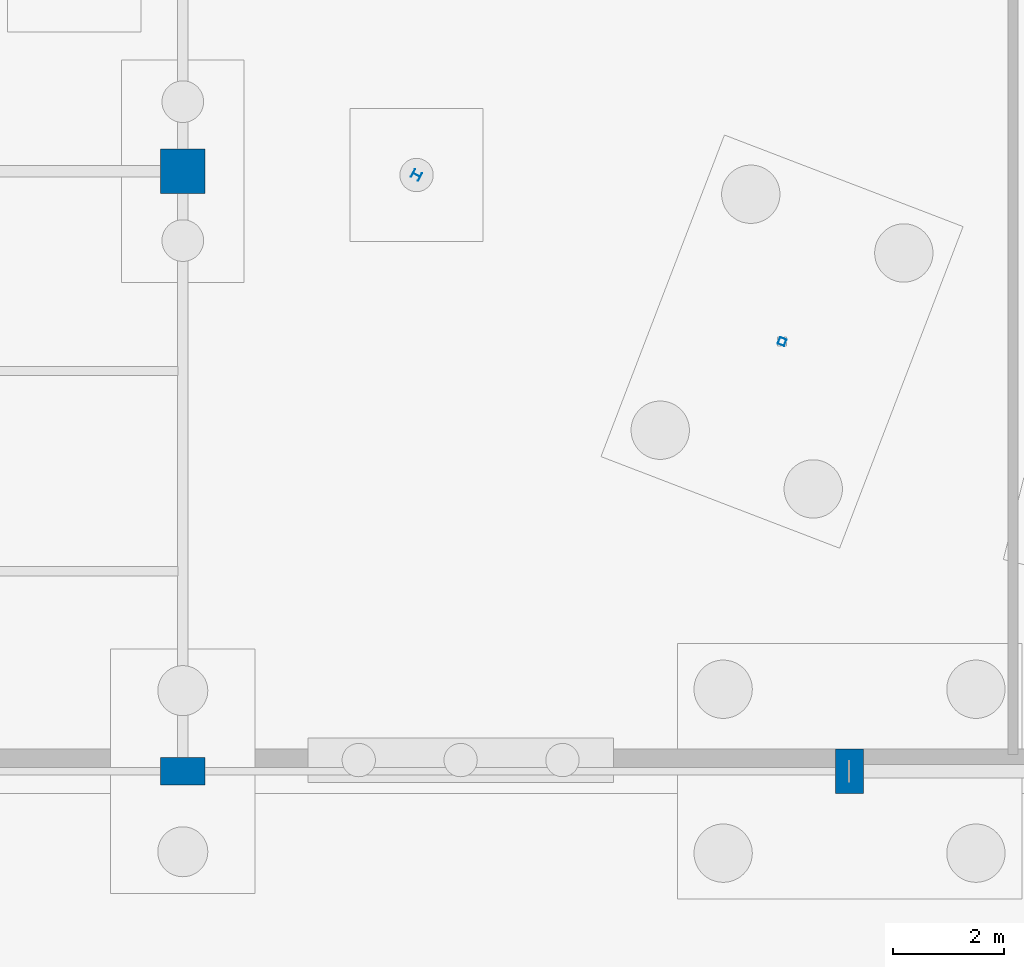
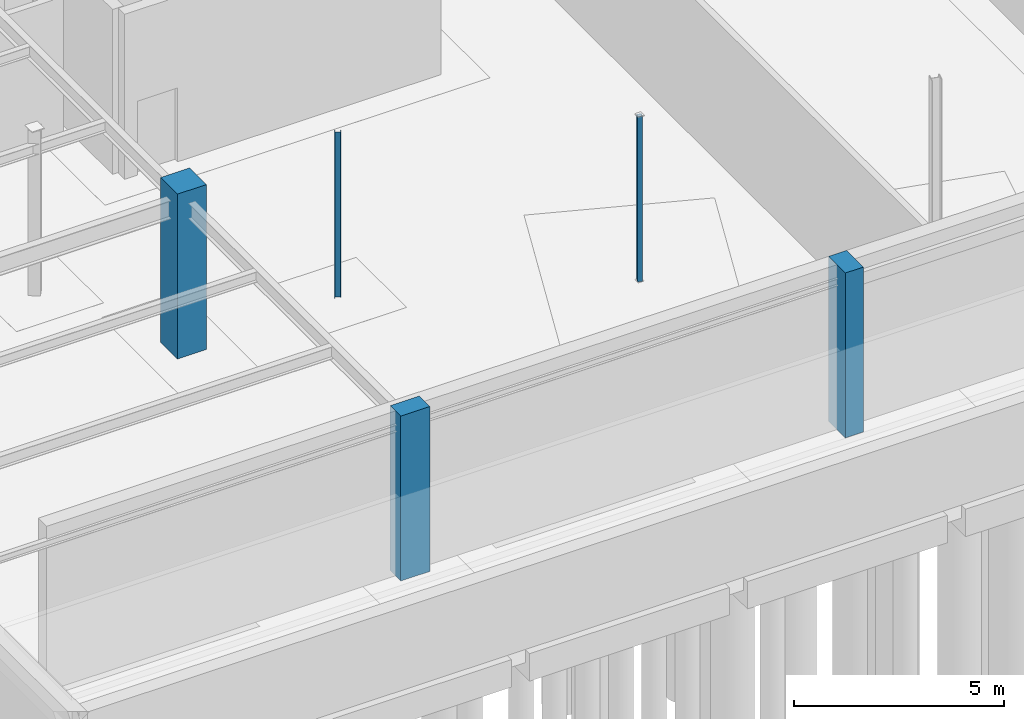
# One storey, part 18 of 136: 5 columns.
"""IFC4 building model written with IfcOpenShell, lengths in metres."""

from ifc_helpers import new_model, si_unit, direction, frame, origin, origin_2d, place, context, subcontext, project, spatial, rectangle, hollow_rectangle, i_section, extrude, material, material_profile, profile_set, type_object, element, save


model = new_model("IFC4")

# Units and contexts
model_context = context("Model", 3, precision=1e-05, world=origin(), true_north=direction((0.0, 1.0)))
body_context = subcontext(model_context, "Body", "Model", "MODEL_VIEW")
ifc_project = project(units=[si_unit("LENGTHUNIT", "METRE"), si_unit("AREAUNIT", "SQUARE_METRE"), si_unit("VOLUMEUNIT", "CUBIC_METRE"), si_unit("PLANEANGLEUNIT", "RADIAN"), si_unit("MASSUNIT", "GRAM", prefix="KILO")], contexts=[model_context])

# Site, building, storey
site_placement = place(None, origin())
site = spatial("IfcSite", under=ifc_project, at=site_placement, CompositionType="ELEMENT")
building_placement = place(site_placement, origin())
building = spatial("IfcBuilding", under=site, at=building_placement, Name="Tarnwether General Hospital", CompositionType="ELEMENT")
storey_placement = place(building_placement, frame((0.0, 0.0, -4.800048828125)))
storey = spatial("IfcBuildingStorey", under=building, at=storey_placement, Name="LG", CompositionType="ELEMENT", Elevation=-4.800048828125)

# Columns
ifc_material_1 = material(Name="Concrete 50 MPa", Category="concrete")
ifc_material_profile_1 = material_profile(ifc_material_1, rectangle(XDim=0.800048828125, YDim=0.800048828125, at=origin_2d()), Name="RC-COL-800x800")
ifc_profile_set_1 = profile_set([ifc_material_profile_1], Name="Concrete 50 MPa")
column_type_1 = type_object("IfcColumnType", Name="COL-16", PredefinedType="COLUMN", material=ifc_profile_set_1)
column_1_placement = place(storey_placement, frame((60.0, 10.800048828125, 0.0), z_axis=(0.0, 0.0, 1.0), x_axis=(0.0, 1.0, 0.0)))
element("IfcColumn", 1, at=column_1_placement, inside=storey, type_object=column_type_1, Name="Column COLG-LG-6000_1080", PredefinedType="COLUMN", context=body_context, shape_type="SweptSolid", body=[
    extrude(rectangle(XDim=0.800048828125, YDim=0.800048828125, at=origin_2d()), origin(), (0.0, 0.0, 1.0), 4.800048828125),
])
ifc_material_2 = material(Name="Concrete 50 MPa", Category="concrete")
ifc_material_profile_2 = material_profile(ifc_material_2, rectangle(XDim=0.5, YDim=0.800048828125, at=origin_2d()), Name="RC-PIL-500x800")
ifc_profile_set_2 = profile_set([ifc_material_profile_2], Name="Concrete 50 MPa")
column_type_2 = type_object("IfcColumnType", Name="COL-23", PredefinedType="PILASTER", material=ifc_profile_set_2)
for number, where, z_axis, x_axis, name in (
    (2, (60.0, 0.0, 0.0), (0.0, 0.0, 1.0), (0.0, 1.0, 0.0), "Column COLG-LG-6000_0"),
    (3, (72.0, 0.0, 0.0), (0.0, 0.0, 1.0), (1.0, 0.0, 0.0), "Column COLG-LG-7200_0"),
):
    element("IfcColumn", number, at=place(storey_placement, frame(where, z_axis=z_axis, x_axis=x_axis)), inside=storey, type_object=column_type_2, Name=name, PredefinedType="PILASTER", context=body_context, shape_type="SweptSolid", body=[
        extrude(rectangle(XDim=0.5, YDim=0.800048828125, at=origin_2d()), origin(), (0.0, 0.0, 1.0), 4.800048828125),
    ])
ifc_material_3 = material(Name="Steel Grade 350 (350 MPa)", Category="steel")
ifc_material_profile_3 = material_profile(ifc_material_3, i_section(OverallWidth=0.152099609375, OverallDepth=0.152099609375, WebThickness=0.006103515625, FlangeThickness=0.0068359375, at=origin_2d()), Name="150UC23.4")
ifc_profile_set_3 = profile_set([ifc_material_profile_3], Name="Steel Grade 350 (350 MPa)")
column_type_3 = type_object("IfcColumnType", Name="COL-32", PredefinedType="COLUMN", material=ifc_profile_set_3)
column_2_placement = place(storey_placement, frame((64.20703125, 10.72998046875, 0.0), z_axis=(0.0, 0.0, 1.0), x_axis=(0.469471562786, 0.882947592859, 0.0)))
element("IfcColumn", 4, at=column_2_placement, inside=storey, type_object=column_type_3, Name="Column COLG-LG-6421_1073", PredefinedType="COLUMN", context=body_context, shape_type="SweptSolid", body=[
    extrude(i_section(OverallWidth=0.152099609375, OverallDepth=0.152099609375, WebThickness=0.006103515625, FlangeThickness=0.0068359375, at=origin_2d()), origin(), (0.0, 0.0, 1.0), 4.800048828125),
])
ifc_material_4 = material(Name="Steel Grade C350L0 (350 MPa)", Category="steel")
ifc_material_profile_4 = material_profile(ifc_material_4, hollow_rectangle(XDim=0.125, YDim=0.125, WallThickness=0.006103515625, at=origin_2d()), Name="SHS125x125x6")
ifc_profile_set_4 = profile_set([ifc_material_profile_4], Name="Steel Grade C350L0 (350 MPa)")
column_type_4 = type_object("IfcColumnType", Name="COL-34", PredefinedType="COLUMN", material=ifc_profile_set_4)
column_3_placement = place(storey_placement, frame((70.784912109375, 7.73193359375, 0.0), z_axis=(0.0, 0.0, 1.0), x_axis=(0.358367949545, 0.933580426497, 0.0)))
element("IfcColumn", 5, at=column_3_placement, inside=storey, type_object=column_type_4, Name="Column COLG-LG-7078_773", PredefinedType="COLUMN", context=body_context, shape_type="SweptSolid", body=[
    extrude(hollow_rectangle(XDim=0.125, YDim=0.125, WallThickness=0.006103515625, at=origin_2d()), origin(), (0.0, 0.0, 1.0), 4.800048828125),
])

save(model, "model.ifc")
